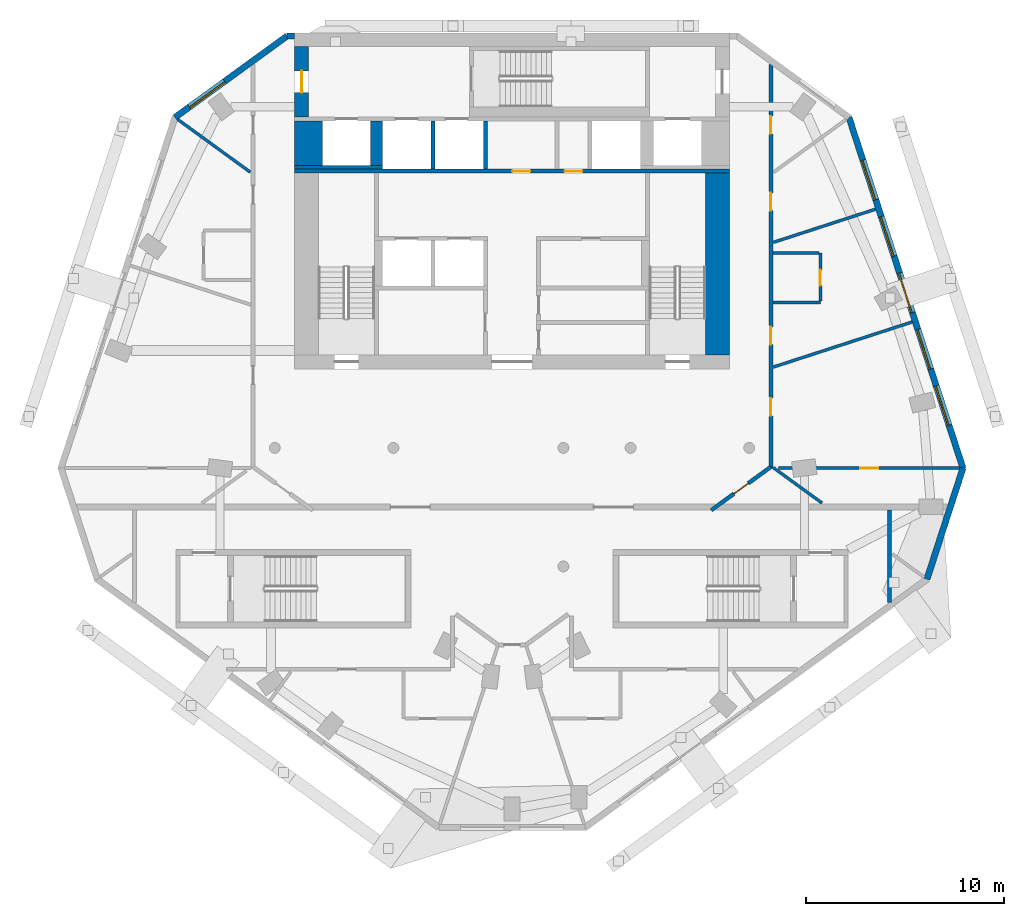
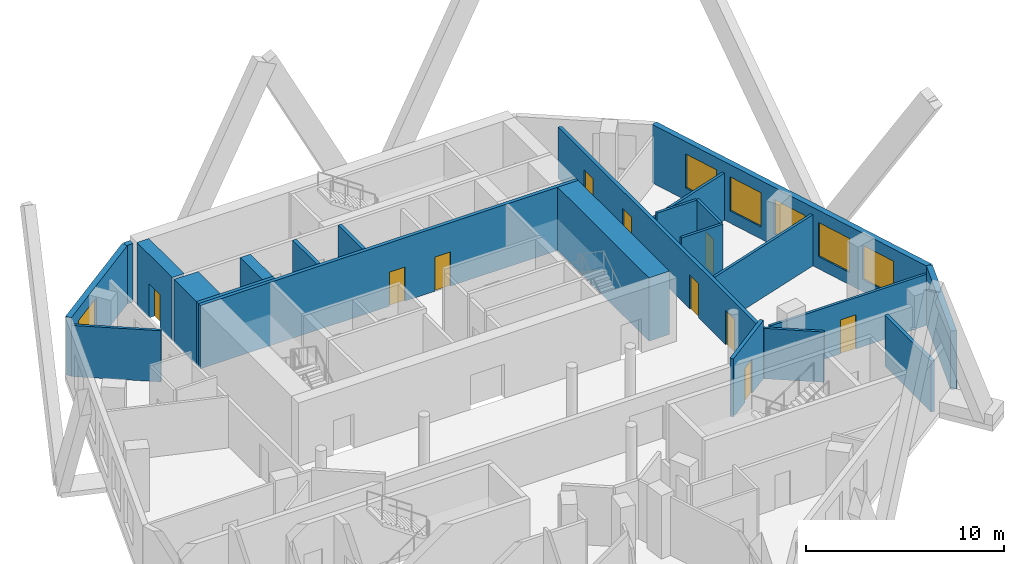
# One storey, part 5 of 8: 23 walls, 10 doors, 6 windows, 16 openings.
"""IFC4 building model written with IfcOpenShell, lengths in metres."""

import ifcopenshell
import ifcopenshell.guid

model = None  # the IFC model being written
_history = None  # IfcOwnerHistory: only IFC2X3 demands one
_inside = {}  # id of a spatial element -> (the spatial element, [elements in it])
_under = {}  # id of a project, library or spatial element -> (it, [spatial elements below it])
_declared = {}  # id of a project -> (the project, [libraries it declares])
_typed = {}  # id of a type object -> (the type object, [elements of that type])
_made_of = {}  # id of a material, layer set ... -> (it, [elements and type objects made of it])


def new_model(schema):
    """Start an empty IFC model of exactly this schema.

    Asked for "IFC4X3", IfcOpenShell would pick the latest addendum, in which some entities
    have other attributes; the version numbers below select the first issue.
    IFC2X3 requires an IfcOwnerHistory on every rooted entity: one is made here for all.
    """
    global model, _history
    if schema == "IFC4X3":
        model = ifcopenshell.file(schema_version=(4, 3, 0, 0))
    else:
        model = ifcopenshell.file(schema=schema)
    _inside.clear()
    _under.clear()
    _declared.clear()
    _typed.clear()
    _made_of.clear()
    _history = None
    if model.schema == "IFC2X3":
        org = make("IfcOrganization", Name="unknown")
        user = make(
            "IfcPersonAndOrganization",
            ThePerson=make("IfcPerson", FamilyName="unknown"),
            TheOrganization=org,
        )
        app = make(
            "IfcApplication",
            ApplicationDeveloper=org,
            Version="unknown",
            ApplicationFullName="unknown",
            ApplicationIdentifier="unknown",
        )
        _history = make(
            "IfcOwnerHistory",
            OwningUser=user,
            OwningApplication=app,
            ChangeAction="ADDED",
            CreationDate=0,
        )
    return model


def make(cls, **values):
    """One entity of the class cls with the attributes given. An attribute that is None is left unset."""
    return model.create_entity(
        cls, **{name: value for name, value in values.items() if value is not None}
    )


def rooted(cls, **values):
    """An entity with a GlobalId (a new one), such as an element, a storey or a relation."""
    return make(cls, GlobalId=ifcopenshell.guid.new(), OwnerHistory=_history, **values)


def si_unit(unit_type, name, prefix=None):
    """IfcSIUnit, for example si_unit("LENGTHUNIT", "METRE", prefix="MILLI")."""
    return make("IfcSIUnit", UnitType=unit_type, Prefix=prefix, Name=name)


def assignment(units):
    """IfcUnitAssignment: the units of a project."""
    return None if units is None else make("IfcUnitAssignment", Units=units)


def point(xyz):
    """IfcCartesianPoint."""
    return None if xyz is None else make("IfcCartesianPoint", Coordinates=xyz)


def direction(xyz):
    """IfcDirection."""
    return None if xyz is None else make("IfcDirection", DirectionRatios=xyz)


def frame(location, z_axis=None, x_axis=None):
    """IfcAxis2Placement3D, a coordinate frame: its origin and axes. An axis left out is left unset."""
    return make(
        "IfcAxis2Placement3D",
        Location=point(location),
        Axis=direction(z_axis),
        RefDirection=direction(x_axis),
    )


def frame_2d(location, x_axis=None):
    """IfcAxis2Placement2D, a coordinate frame in the plane: its origin and x axis."""
    return make(
        "IfcAxis2Placement2D", Location=point(location), RefDirection=direction(x_axis)
    )


def origin():
    """The frame at (0, 0, 0) with its axes left unset."""
    return frame((0.0, 0.0, 0.0))


def place(relative_to, where):
    """IfcLocalPlacement: puts the frame where relative to a parent placement (None: the world)."""
    return make(
        "IfcLocalPlacement", PlacementRelTo=relative_to, RelativePlacement=where
    )


def context(
    kind, dimensions, precision=None, world=None, true_north=None, identifier=None
):
    """IfcGeometricRepresentationContext, for example the 3D "Model" context."""
    return make(
        "IfcGeometricRepresentationContext",
        ContextIdentifier=identifier,
        ContextType=kind,
        CoordinateSpaceDimension=dimensions,
        Precision=precision,
        WorldCoordinateSystem=world,
        TrueNorth=true_north,
    )


def subcontext(parent, identifier, kind, view, scale=None):
    """IfcGeometricRepresentationSubContext, for example "Body" below "Model"."""
    return make(
        "IfcGeometricRepresentationSubContext",
        ContextIdentifier=identifier,
        ContextType=kind,
        ParentContext=parent,
        TargetScale=scale,
        TargetView=view,
    )


def project(units=None, contexts=None):
    """IfcProject with its units and contexts."""
    return rooted(
        "IfcProject",
        Name="project",
        RepresentationContexts=contexts,
        UnitsInContext=assignment(units),
    )


def spatial(cls, under=None, at=None, **own):
    """A site, building, storey or space (cls), placed at a placement, below another one or the project."""
    s = rooted(cls, ObjectPlacement=at, **own)
    if under is not None:
        _under.setdefault(under.id(), (under, []))[1].append(s)
    return s


def profile(cls, at=None, kind="AREA", **sizes):
    """A parametric profile (cls). Its sizes go by their IFC names, for example OverallWidth=200.0."""
    return make(cls, ProfileType=kind, Position=at, **sizes)


def rectangle(**sizes):
    """IfcRectangleProfileDef."""
    return profile("IfcRectangleProfileDef", **sizes)


def extrude(swept, where, along, depth):
    """IfcExtrudedAreaSolid: the profile swept, set in the frame where, extruded along a direction by depth."""
    return make(
        "IfcExtrudedAreaSolid",
        SweptArea=swept,
        Position=where,
        ExtrudedDirection=direction(along),
        Depth=depth,
    )


def shape(context_of_items, identifier, shape_type, items):
    """IfcShapeRepresentation: the items that make up one representation, for example the "Body"."""
    return make(
        "IfcShapeRepresentation",
        ContextOfItems=context_of_items,
        RepresentationIdentifier=identifier,
        RepresentationType=shape_type,
        Items=items,
    )


def material(Name=None, Category=None):
    """IfcMaterial."""
    return make("IfcMaterial", Name=Name, Category=Category)


def layer(
    of_material, thickness, ventilated=None, Name=None, Category=None, Priority=None
):
    """IfcMaterialLayer: one layer of a wall or slab, of a material (None: an air gap)."""
    return make(
        "IfcMaterialLayer",
        Material=of_material,
        LayerThickness=thickness,
        IsVentilated=ventilated,
        Name=Name,
        Category=Category,
        Priority=Priority,
    )


def layer_set(layers, Name=None):
    """IfcMaterialLayerSet."""
    return make("IfcMaterialLayerSet", MaterialLayers=layers, LayerSetName=Name)


def made_of(thing, what):
    """Note that an element or type object is made of a material, layer set ...; save() writes the relation."""
    if what is not None:
        _made_of.setdefault(what.id(), (what, []))[1].append(thing)
    return thing


def type_object(cls, material=None, **own):
    """A type object (cls), such as IfcWallType, which elements share."""
    return made_of(rooted(cls, **own), material)


def element(
    cls,
    number,
    at=None,
    inside=None,
    cuts=None,
    type_object=None,
    material=None,
    context=None,
    identifier="Body",
    shape_type=None,
    held_by="IfcProductDefinitionShape",
    body=None,
    shapes=None,
    **own,
):
    """One element of the class cls, such as IfcWall. Its Tag is "e" and its number.

    at: its placement. inside: the storey or other place that contains it. cuts: it is an
    opening in that element (IfcRelVoidsElement). A single representation is given by context,
    identifier, shape_type and body (its items); several are given by shapes. held_by: the class
    of the entity that holds the representations. save() writes the other relations.
    """
    e = rooted(cls, Tag="e%d" % number, ObjectPlacement=at, **own)
    if body is not None:
        shapes = [shape(context, identifier, shape_type, body)]
    if shapes is not None:
        e.Representation = make(held_by, Representations=shapes)
    if inside is not None:
        _inside.setdefault(inside.id(), (inside, []))[1].append(e)
    if cuts is not None:
        rooted(
            "IfcRelVoidsElement", RelatingBuildingElement=cuts, RelatedOpeningElement=e
        )
    if type_object is not None:
        _typed.setdefault(type_object.id(), (type_object, []))[1].append(e)
    return made_of(e, material)


def fill(opening, filler):
    """IfcRelFillsElement: the door or window that sits in an opening."""
    return rooted(
        "IfcRelFillsElement",
        RelatingOpeningElement=opening,
        RelatedBuildingElement=filler,
    )


def aggregate(whole, parts):
    """IfcRelAggregates: a whole, such as a stair, and the parts it consists of."""
    return rooted("IfcRelAggregates", RelatingObject=whole, RelatedObjects=parts)


def save(model, path):
    """Write the relations noted so far, then the file.

    IfcRelAggregates (storeys below a building ...), IfcRelContainedInSpatialStructure (elements
    in a storey), IfcRelDefinesByType, IfcRelAssociatesMaterial and IfcRelDeclares: one each for
    every whole, place, type object, material and project.
    """
    for whole, parts in _under.values():
        aggregate(whole, parts)
    for where, things in _inside.values():
        rooted(
            "IfcRelContainedInSpatialStructure",
            RelatedElements=things,
            RelatingStructure=where,
        )
    for kind, things in _typed.values():
        rooted("IfcRelDefinesByType", RelatedObjects=things, RelatingType=kind)
    for what, things in _made_of.values():
        rooted("IfcRelAssociatesMaterial", RelatedObjects=things, RelatingMaterial=what)
    for by, libraries in _declared.values():
        rooted("IfcRelDeclares", RelatingContext=by, RelatedDefinitions=libraries)
    model.write(path)


model = new_model("IFC4")

# Units and contexts
model_context = context("Model", 3, precision=1e-05, world=origin(), true_north=direction((0.0, 1.0)))
body_context = subcontext(model_context, "Body", "Model", "MODEL_VIEW")
ifc_project = project(units=[si_unit("LENGTHUNIT", "METRE"), si_unit("AREAUNIT", "SQUARE_METRE"), si_unit("VOLUMEUNIT", "CUBIC_METRE"), si_unit("PLANEANGLEUNIT", "RADIAN"), si_unit("MASSUNIT", "GRAM", prefix="KILO")], contexts=[model_context])

# Site, building, storey
site_placement = place(None, origin())
site = spatial("IfcSite", under=ifc_project, at=site_placement, CompositionType="ELEMENT")
building_placement = place(site_placement, origin())
building = spatial("IfcBuilding", under=site, at=building_placement, Name="White Candle Pilgrim Tower", CompositionType="ELEMENT")
storey_placement = place(building_placement, frame((0.0, 0.0, 283.39990234375)))
storey = spatial("IfcBuildingStorey", under=building, at=storey_placement, Name="L67", CompositionType="ELEMENT", Elevation=283.39990234375)

# Walls
ifc_material_1 = material(Name="Concrete C50/60", Category="concrete")
ifc_layer_1 = layer(ifc_material_1, 1.39990234375)
ifc_layer_set_1 = layer_set([ifc_layer_1], Name="Core wall 1400 mm Concrete C50/60")
wall_type_1 = type_object("IfcWallType", Name="Core wall 1400 mm Concrete C50/60", PredefinedType="SHEAR", material=ifc_layer_set_1)
wall_1_placement = place(storey_placement, frame((59.699951171875, 81.300048828125, 0.0), z_axis=(0.0, 0.0, 1.0), x_axis=(0.0, 1.0, 0.0)))
element("IfcWall", 1, at=wall_1_placement, inside=storey, type_object=wall_type_1, Name="WL-L67-C39", PredefinedType="SHEAR", context=body_context, shape_type="SweptSolid", body=[
    extrude(rectangle(XDim=2.25, YDim=1.39990234375, at=frame_2d((1.125, 0.0))), origin(), (0.0, 0.0, 1.0), 3.900146484375),
])
ifc_layer_2 = layer(ifc_material_1, 0.199951171875)
ifc_layer_set_2 = layer_set([ifc_layer_2], Name="Core wall 200 mm Concrete C50/60")
wall_type_2 = type_object("IfcWallType", Name="Core wall 200 mm Concrete C50/60", PredefinedType="SHEAR", material=ifc_layer_set_2)
wall_2_placement = place(storey_placement, frame((59.0, 81.199951171875, 0.0), z_axis=(0.0, 0.0, 1.0), x_axis=(1.0, 0.0, 0.0)))
element("IfcWall", 2, at=wall_2_placement, inside=storey, type_object=wall_type_2, Name="WL-L67-C33", PredefinedType="SHEAR", context=body_context, shape_type="SweptSolid", body=[
    extrude(rectangle(XDim=4.449951171875, YDim=0.199951171875, at=frame_2d((2.22509765625, 0.0))), origin(), (0.0, 0.0, 1.0), 3.900146484375),
])

# Wall, opening, door
ifc_layer_3 = layer(ifc_material_1, 0.699951171875)
ifc_layer_set_3 = layer_set([ifc_layer_3], Name="Core wall 700 mm Concrete C50/60")
wall_type_3 = type_object("IfcWallType", Name="Core wall 700 mm Concrete C50/60", PredefinedType="SHEAR", material=ifc_layer_set_3)
wall_3_placement = place(storey_placement, frame((59.35009765625, 83.75, 0.0), z_axis=(0.0, 0.0, 1.0), x_axis=(0.0, 1.0, 0.0)))
wall_3 = element("IfcWall", 3, at=wall_3_placement, inside=storey, type_object=wall_type_3, Name="WL-L67-C44", PredefinedType="SHEAR", context=body_context, shape_type="SweptSolid", body=[
    extrude(rectangle(XDim=3.550048828125, YDim=0.699951171875, at=frame_2d((1.77490234375, 0.0))), origin(), (0.0, 0.0, 1.0), 3.900146484375),
])
opening_1_placement = place(wall_3_placement, frame((1.22509765625, 0.0, 0.0)))
opening_1 = element("IfcOpeningElement", 4, at=opening_1_placement, cuts=wall_3, Name="Opening T21-008", PredefinedType="OPENING", context=body_context, shape_type="SweptSolid", body=[
    extrude(rectangle(XDim=1.10009765625, YDim=2.10009765625, at=frame_2d((0.550048828125, 1.050048828125))), frame((0.0, 0.35986328125, 0.0), z_axis=(0.0, -1.0, 0.0), x_axis=(1.0, 0.0, 0.0)), (0.0, 0.0, 1.0), 0.719970703125),
])
ifc_material_2 = material(Name="Steel door leaf", Category="steel")
door_type_1 = type_object("IfcDoorType", Name="Fire door 1100 x 2100 EI 60", OperationType="NOTDEFINED", PredefinedType="DOOR", material=ifc_material_2)
door_1_placement = place(opening_1_placement, origin())
door_1 = element("IfcDoor", 5, at=door_1_placement, inside=storey, type_object=door_type_1, Name="Door T21-008", OperationType="SINGLE_SWING_RIGHT", OverallHeight=2.10009765625, OverallWidth=1.10009765625, PredefinedType="DOOR", context=body_context, shape_type="SweptSolid", body=[
    extrude(rectangle(XDim=1.10009765625, YDim=2.10009765625, at=frame_2d((0.550048828125, 1.050048828125))), frame((0.0, 0.02490234375, 0.0), z_axis=(0.0, -1.0, 0.0), x_axis=(1.0, 0.0, 0.0)), (0.0, 0.0, 1.0), 0.050048828125),
])
fill(opening_1, door_1)

# Wall, openings, doors
ifc_material_3 = material(Name="Gypsum board on steel studs", Category="steel")
ifc_layer_4 = layer(ifc_material_3, 0.199951171875)
ifc_layer_set_4 = layer_set([ifc_layer_4], Name="Corridor wall 200 mm EI 45")
wall_type_4 = type_object("IfcWallType", Name="Corridor wall 200 mm EI 45", PredefinedType="PARTITIONING", material=ifc_layer_set_4)
wall_4_placement = place(storey_placement, frame((83.10009765625, 86.396240234375, 0.0), z_axis=(0.0, 0.0, 1.0), x_axis=(0.0, -1.0, 0.0)))
wall_4 = element("IfcWall", 6, at=wall_4_placement, inside=storey, type_object=wall_type_4, Name="WL-L67-P005", PredefinedType="PARTITIONING", context=body_context, shape_type="SweptSolid", body=[
    extrude(rectangle(XDim=20.416259765625, YDim=0.199951171875, at=frame_2d((10.2080078125, 0.0))), origin(), (0.0, 0.0, 1.0), 3.150146484375),
])
opening_2_placement = place(wall_4_placement, frame((2.6123046875, 0.0, 0.0)))
opening_2 = element("IfcOpeningElement", 7, at=opening_2_placement, cuts=wall_4, Name="Opening T21-113", PredefinedType="OPENING", context=body_context, shape_type="SweptSolid", body=[
    extrude(rectangle(XDim=0.89990234375, YDim=2.10009765625, at=frame_2d((0.449951171875, 1.050048828125))), frame((0.0, 0.10986328125, 0.0), z_axis=(0.0, -1.0, 0.0), x_axis=(1.0, 0.0, 0.0)), (0.0, 0.0, 1.0), 0.219970703125),
])
opening_3_placement = place(wall_4_placement, frame((6.49365234375, 0.0, 0.0)))
opening_3 = element("IfcOpeningElement", 8, at=opening_3_placement, cuts=wall_4, Name="Opening T21-114", PredefinedType="OPENING", context=body_context, shape_type="SweptSolid", body=[
    extrude(rectangle(XDim=0.89990234375, YDim=2.10009765625, at=frame_2d((0.449951171875, 1.050048828125))), frame((0.0, 0.10986328125, 0.0), z_axis=(0.0, -1.0, 0.0), x_axis=(1.0, 0.0, 0.0)), (0.0, 0.0, 1.0), 0.219970703125),
])
opening_4_placement = place(wall_4_placement, frame((13.270263671875, 0.0, 0.0)))
opening_4 = element("IfcOpeningElement", 9, at=opening_4_placement, cuts=wall_4, Name="Opening T21-115", PredefinedType="OPENING", context=body_context, shape_type="SweptSolid", body=[
    extrude(rectangle(XDim=0.89990234375, YDim=2.10009765625, at=frame_2d((0.449951171875, 1.050048828125))), frame((0.0, 0.10986328125, 0.0), z_axis=(0.0, -1.0, 0.0), x_axis=(1.0, 0.0, 0.0)), (0.0, 0.0, 1.0), 0.219970703125),
])
opening_5_placement = place(wall_4_placement, frame((16.877197265625, 0.0, 0.0)))
opening_5 = element("IfcOpeningElement", 10, at=opening_5_placement, cuts=wall_4, Name="Opening T21-116", PredefinedType="OPENING", context=body_context, shape_type="SweptSolid", body=[
    extrude(rectangle(XDim=0.89990234375, YDim=2.10009765625, at=frame_2d((0.449951171875, 1.050048828125))), frame((0.0, 0.10986328125, 0.0), z_axis=(0.0, -1.0, 0.0), x_axis=(1.0, 0.0, 0.0)), (0.0, 0.0, 1.0), 0.219970703125),
])
door_type_2 = type_object("IfcDoorType", Name="Fire door 900 x 2100 EI 30", OperationType="NOTDEFINED", PredefinedType="DOOR", material=ifc_material_2)
door_2_placement = place(opening_2_placement, origin())
door_2 = element("IfcDoor", 11, at=door_2_placement, inside=storey, type_object=door_type_2, Name="Door T21-113", OperationType="SINGLE_SWING_LEFT", OverallHeight=2.10009765625, OverallWidth=0.89990234375, PredefinedType="DOOR", context=body_context, shape_type="SweptSolid", body=[
    extrude(rectangle(XDim=0.89990234375, YDim=2.10009765625, at=frame_2d((0.449951171875, 1.050048828125))), frame((0.0, 0.02490234375, 0.0), z_axis=(0.0, -1.0, 0.0), x_axis=(1.0, 0.0, 0.0)), (0.0, 0.0, 1.0), 0.050048828125),
])
fill(opening_2, door_2)
door_3_placement = place(opening_3_placement, origin())
door_3 = element("IfcDoor", 12, at=door_3_placement, inside=storey, type_object=door_type_2, Name="Door T21-114", OperationType="SINGLE_SWING_RIGHT", OverallHeight=2.10009765625, OverallWidth=0.89990234375, PredefinedType="DOOR", context=body_context, shape_type="SweptSolid", body=[
    extrude(rectangle(XDim=0.89990234375, YDim=2.10009765625, at=frame_2d((0.449951171875, 1.050048828125))), frame((0.0, 0.02490234375, 0.0), z_axis=(0.0, -1.0, 0.0), x_axis=(1.0, 0.0, 0.0)), (0.0, 0.0, 1.0), 0.050048828125),
])
fill(opening_3, door_3)
door_4_placement = place(opening_4_placement, origin())
door_4 = element("IfcDoor", 13, at=door_4_placement, inside=storey, type_object=door_type_2, Name="Door T21-115", OperationType="SINGLE_SWING_LEFT", OverallHeight=2.10009765625, OverallWidth=0.89990234375, PredefinedType="DOOR", context=body_context, shape_type="SweptSolid", body=[
    extrude(rectangle(XDim=0.89990234375, YDim=2.10009765625, at=frame_2d((0.449951171875, 1.050048828125))), frame((0.0, 0.02490234375, 0.0), z_axis=(0.0, -1.0, 0.0), x_axis=(1.0, 0.0, 0.0)), (0.0, 0.0, 1.0), 0.050048828125),
])
fill(opening_4, door_4)
door_5_placement = place(opening_5_placement, origin())
door_5 = element("IfcDoor", 14, at=door_5_placement, inside=storey, type_object=door_type_2, Name="Door T21-116", OperationType="SINGLE_SWING_RIGHT", OverallHeight=2.10009765625, OverallWidth=0.89990234375, PredefinedType="DOOR", context=body_context, shape_type="SweptSolid", body=[
    extrude(rectangle(XDim=0.89990234375, YDim=2.10009765625, at=frame_2d((0.449951171875, 1.050048828125))), frame((0.0, 0.02490234375, 0.0), z_axis=(0.0, -1.0, 0.0), x_axis=(1.0, 0.0, 0.0)), (0.0, 0.0, 1.0), 0.050048828125),
])
fill(opening_5, door_5)

# Wall, opening, door
wall_5_placement = place(storey_placement, frame((83.10009765625, 66.041015625, 0.0), z_axis=(0.0, 0.0, 1.0), x_axis=(-0.809024883744, -0.587774393355, 0.0)))
wall_5 = element("IfcWall", 15, at=wall_5_placement, inside=storey, type_object=wall_type_4, Name="WL-L67-P006", PredefinedType="PARTITIONING", context=body_context, shape_type="SweptSolid", body=[
    extrude(rectangle(XDim=3.7275390625, YDim=0.199951171875, at=frame_2d((1.86376953125, 0.0))), origin(), (0.0, 0.0, 1.0), 3.60009765625),
])
opening_6_placement = place(wall_5_placement, frame((1.413818359375, 0.0, 0.0)))
opening_6 = element("IfcOpeningElement", 16, at=opening_6_placement, cuts=wall_5, Name="Opening T21-119", PredefinedType="OPENING", context=body_context, shape_type="SweptSolid", body=[
    extrude(rectangle(XDim=0.89990234375, YDim=2.10009765625, at=frame_2d((0.449951171875, 1.050048828125))), frame((0.0, 0.10986328125, 0.0), z_axis=(0.0, -1.0, 0.0), x_axis=(1.0, 0.0, 0.0)), (0.0, 0.0, 1.0), 0.219970703125),
])
door_6_placement = place(opening_6_placement, origin())
door_6 = element("IfcDoor", 17, at=door_6_placement, inside=storey, type_object=door_type_2, Name="Door T21-119", OperationType="SINGLE_SWING_LEFT", OverallHeight=2.10009765625, OverallWidth=0.89990234375, PredefinedType="DOOR", context=body_context, shape_type="SweptSolid", body=[
    extrude(rectangle(XDim=0.89990234375, YDim=2.10009765625, at=frame_2d((0.449951171875, 1.050048828125))), frame((0.0, 0.02490234375, 0.0), z_axis=(0.0, -1.0, 0.0), x_axis=(1.0, 0.0, 0.0)), (0.0, 0.0, 1.0), 0.050048828125),
])
fill(opening_6, door_6)

# Walls
wall_6_placement = place(storey_placement, frame((89.10009765625, 63.85009765625, 0.0), z_axis=(0.0, 0.0, 1.0), x_axis=(0.0, -1.0, 0.0)))
element("IfcWall", 18, at=wall_6_placement, inside=storey, type_object=wall_type_4, Name="WL-L67-P007", PredefinedType="PARTITIONING", context=body_context, shape_type="SweptSolid", body=[
    extrude(rectangle(XDim=4.67333984375, YDim=0.199951171875, at=frame_2d((2.336669921875, 0.0))), origin(), (0.0, 0.0, 1.0), 3.150146484375),
])
ifc_material_4 = material(Name="Precast concrete C40/50", Category="concrete")
ifc_layer_5 = layer(ifc_material_4, 0.320068359375)
ifc_layer_set_5 = layer_set([ifc_layer_5], Name="Facade wall EW1 precast concrete C40/50 pier wall with timber-lined reveals")
wall_type_5 = type_object("IfcWallType", Name="Facade wall EW1 precast concrete C40/50 pier wall with timber-lined reveals", PredefinedType="SOLIDWALL", material=ifc_layer_set_5)
wall_7_placement = place(storey_placement, frame((90.99365234375, 60.354736328125, 0.0), z_axis=(0.0, 0.0, 1.0), x_axis=(0.30899265151, 0.951064425427, 0.0)))
element("IfcWall", 19, at=wall_7_placement, inside=storey, type_object=wall_type_5, Name="Facade wall L67 E chamfer", PredefinedType="SOLIDWALL", context=body_context, shape_type="SweptSolid", body=[
    extrude(rectangle(XDim=5.9091796875, YDim=0.320068359375, at=frame_2d((2.95458984375, 0.0))), origin(), (0.0, 0.0, 1.0), 3.60009765625),
])

# Wall, openings, windows
wall_8_placement = place(storey_placement, frame((92.819580078125, 65.974853515625, 0.0), z_axis=(0.0, 0.0, 1.0), x_axis=(-0.3090200992, 0.951055507471, 0.0)))
wall_8 = element("IfcWall", 20, at=wall_8_placement, inside=storey, type_object=wall_type_5, Name="Facade wall L67 ENE", PredefinedType="SOLIDWALL", context=body_context, shape_type="SweptSolid", body=[
    extrude(rectangle(XDim=18.66015625, YDim=0.320068359375, at=frame_2d((9.330078125, 0.0))), origin(), (0.0, 0.0, 1.0), 3.60009765625),
])
opening_7_placement = place(wall_8_placement, frame((2.280029296875, 0.0, 0.75)))
opening_7 = element("IfcOpeningElement", 21, at=opening_7_placement, cuts=wall_8, Name="Opening W3", PredefinedType="OPENING", context=body_context, shape_type="SweptSolid", body=[
    extrude(rectangle(XDim=2.10009765625, YDim=2.10009765625, at=frame_2d((1.050048828125, 1.050048828125))), frame((0.0, 0.169921875, 0.0), z_axis=(0.0, -1.0, 0.0), x_axis=(1.0, 0.0, 0.0)), (0.0, 0.0, 1.0), 0.340087890625),
])
opening_8_placement = place(wall_8_placement, frame((5.280029296875, 0.0, 0.75)))
opening_8 = element("IfcOpeningElement", 22, at=opening_8_placement, cuts=wall_8, Name="Opening W3", PredefinedType="OPENING", context=body_context, shape_type="SweptSolid", body=[
    extrude(rectangle(XDim=2.10009765625, YDim=2.10009765625, at=frame_2d((1.050048828125, 1.050048828125))), frame((0.0, 0.169921875, 0.0), z_axis=(0.0, -1.0, 0.0), x_axis=(1.0, 0.0, 0.0)), (0.0, 0.0, 1.0), 0.340087890625),
])
opening_9_placement = place(wall_8_placement, frame((8.280029296875, 0.0, 0.75)))
opening_9 = element("IfcOpeningElement", 23, at=opening_9_placement, cuts=wall_8, Name="Opening W3", PredefinedType="OPENING", context=body_context, shape_type="SweptSolid", body=[
    extrude(rectangle(XDim=2.10009765625, YDim=2.10009765625, at=frame_2d((1.050048828125, 1.050048828125))), frame((0.0, 0.169921875, 0.0), z_axis=(0.0, -1.0, 0.0), x_axis=(1.0, 0.0, 0.0)), (0.0, 0.0, 1.0), 0.340087890625),
])
opening_10_placement = place(wall_8_placement, frame((11.280029296875, 0.0, 0.75)))
opening_10 = element("IfcOpeningElement", 24, at=opening_10_placement, cuts=wall_8, Name="Opening W3", PredefinedType="OPENING", context=body_context, shape_type="SweptSolid", body=[
    extrude(rectangle(XDim=2.10009765625, YDim=2.10009765625, at=frame_2d((1.050048828125, 1.050048828125))), frame((0.0, 0.169921875, 0.0), z_axis=(0.0, -1.0, 0.0), x_axis=(1.0, 0.0, 0.0)), (0.0, 0.0, 1.0), 0.340087890625),
])
opening_11_placement = place(wall_8_placement, frame((14.280029296875, 0.0, 0.75)))
opening_11 = element("IfcOpeningElement", 25, at=opening_11_placement, cuts=wall_8, Name="Opening W3", PredefinedType="OPENING", context=body_context, shape_type="SweptSolid", body=[
    extrude(rectangle(XDim=2.10009765625, YDim=2.10009765625, at=frame_2d((1.050048828125, 1.050048828125))), frame((0.0, 0.169921875, 0.0), z_axis=(0.0, -1.0, 0.0), x_axis=(1.0, 0.0, 0.0)), (0.0, 0.0, 1.0), 0.340087890625),
])
ifc_material_5 = material(Name="Timber frame with triple glazing", Category="wood")
window_type_1 = type_object("IfcWindowType", Name="Window W3 2100x2100 timber frame triple glazing", PartitioningType="SINGLE_PANEL", PredefinedType="WINDOW", material=ifc_material_5)
window_1_placement = place(opening_7_placement, origin())
window_1 = element("IfcWindow", 26, at=window_1_placement, inside=storey, type_object=window_type_1, Name="Window W3 L67 ENE 1", OverallHeight=2.10009765625, OverallWidth=2.10009765625, PartitioningType="SINGLE_PANEL", PredefinedType="WINDOW", context=body_context, shape_type="SweptSolid", body=[
    extrude(rectangle(XDim=2.10009765625, YDim=2.10009765625, at=frame_2d((1.050048828125, 1.050048828125))), frame((0.0, 0.070068359375, 0.0), z_axis=(0.0, -1.0, 0.0), x_axis=(1.0, 0.0, 0.0)), (0.0, 0.0, 1.0), 0.06005859375),
])
fill(opening_7, window_1)
window_2_placement = place(opening_8_placement, origin())
window_2 = element("IfcWindow", 27, at=window_2_placement, inside=storey, type_object=window_type_1, Name="Window W3 L67 ENE 2", OverallHeight=2.10009765625, OverallWidth=2.10009765625, PartitioningType="SINGLE_PANEL", PredefinedType="WINDOW", context=body_context, shape_type="SweptSolid", body=[
    extrude(rectangle(XDim=2.10009765625, YDim=2.10009765625, at=frame_2d((1.050048828125, 1.050048828125))), frame((0.0, 0.070068359375, 0.0), z_axis=(0.0, -1.0, 0.0), x_axis=(1.0, 0.0, 0.0)), (0.0, 0.0, 1.0), 0.06005859375),
])
fill(opening_8, window_2)
window_3_placement = place(opening_9_placement, origin())
window_3 = element("IfcWindow", 28, at=window_3_placement, inside=storey, type_object=window_type_1, Name="Window W3 L67 ENE 3", OverallHeight=2.10009765625, OverallWidth=2.10009765625, PartitioningType="SINGLE_PANEL", PredefinedType="WINDOW", context=body_context, shape_type="SweptSolid", body=[
    extrude(rectangle(XDim=2.10009765625, YDim=2.10009765625, at=frame_2d((1.050048828125, 1.050048828125))), frame((0.0, 0.070068359375, 0.0), z_axis=(0.0, -1.0, 0.0), x_axis=(1.0, 0.0, 0.0)), (0.0, 0.0, 1.0), 0.06005859375),
])
fill(opening_9, window_3)
window_4_placement = place(opening_10_placement, origin())
window_4 = element("IfcWindow", 29, at=window_4_placement, inside=storey, type_object=window_type_1, Name="Window W3 L67 ENE 4", OverallHeight=2.10009765625, OverallWidth=2.10009765625, PartitioningType="SINGLE_PANEL", PredefinedType="WINDOW", context=body_context, shape_type="SweptSolid", body=[
    extrude(rectangle(XDim=2.10009765625, YDim=2.10009765625, at=frame_2d((1.050048828125, 1.050048828125))), frame((0.0, 0.070068359375, 0.0), z_axis=(0.0, -1.0, 0.0), x_axis=(1.0, 0.0, 0.0)), (0.0, 0.0, 1.0), 0.06005859375),
])
fill(opening_10, window_4)
window_5_placement = place(opening_11_placement, origin())
window_5 = element("IfcWindow", 30, at=window_5_placement, inside=storey, type_object=window_type_1, Name="Window W3 L67 ENE 5", OverallHeight=2.10009765625, OverallWidth=2.10009765625, PartitioningType="SINGLE_PANEL", PredefinedType="WINDOW", context=body_context, shape_type="SweptSolid", body=[
    extrude(rectangle(XDim=2.10009765625, YDim=2.10009765625, at=frame_2d((1.050048828125, 1.050048828125))), frame((0.0, 0.070068359375, 0.0), z_axis=(0.0, -1.0, 0.0), x_axis=(1.0, 0.0, 0.0)), (0.0, 0.0, 1.0), 0.06005859375),
])
fill(opening_11, window_5)

# Wall
wall_9_placement = place(storey_placement, frame((59.0, 87.840087890625, 0.0), z_axis=(0.0, 0.0, 1.0), x_axis=(-1.0, 0.0, 0.0)))
element("IfcWall", 31, at=wall_9_placement, inside=storey, type_object=wall_type_5, Name="Facade wall L67 N", PredefinedType="SOLIDWALL", context=body_context, shape_type="SweptSolid", body=[
    extrude(rectangle(XDim=0.385009765625, YDim=0.320068359375, at=frame_2d((0.1923828125, 0.0))), origin(), (0.0, 0.0, 1.0), 3.60009765625),
])

# Wall, opening, window
wall_10_placement = place(storey_placement, frame((58.614990234375, 87.840087890625, 0.0), z_axis=(0.0, 0.0, 1.0), x_axis=(-0.809002708762, -0.587804914249, 0.0)))
wall_10 = element("IfcWall", 32, at=wall_10_placement, inside=storey, type_object=wall_type_5, Name="Facade wall L67 NW chamfer", PredefinedType="SOLIDWALL", context=body_context, shape_type="SweptSolid", body=[
    extrude(rectangle(XDim=7.00634765625, YDim=0.320068359375, at=frame_2d((3.503173828125, 0.0))), origin(), (0.0, 0.0, 1.0), 3.60009765625),
])
opening_12_placement = place(wall_10_placement, frame((3.9033203125, 0.0, 0.75)))
opening_12 = element("IfcOpeningElement", 33, at=opening_12_placement, cuts=wall_10, Name="Opening W4", PredefinedType="OPENING", context=body_context, shape_type="SweptSolid", body=[
    extrude(rectangle(XDim=2.199951171875, YDim=2.10009765625, at=frame_2d((1.10009765625, 1.050048828125))), frame((0.0, 0.169921875, 0.0), z_axis=(0.0, -1.0, 0.0), x_axis=(1.0, 0.0, 0.0)), (0.0, 0.0, 1.0), 0.340087890625),
])
window_type_2 = type_object("IfcWindowType", Name="Window W4 2200x2100 timber frame triple glazing", PartitioningType="SINGLE_PANEL", PredefinedType="WINDOW", material=ifc_material_5)
window_6_placement = place(opening_12_placement, origin())
window_6 = element("IfcWindow", 34, at=window_6_placement, inside=storey, type_object=window_type_2, Name="Window W4 L67 NW chamfer 2", OverallHeight=2.10009765625, OverallWidth=2.199951171875, PartitioningType="SINGLE_PANEL", PredefinedType="WINDOW", context=body_context, shape_type="SweptSolid", body=[
    extrude(rectangle(XDim=2.199951171875, YDim=2.10009765625, at=frame_2d((1.10009765625, 1.050048828125))), frame((0.0, 0.070068359375, 0.0), z_axis=(0.0, -1.0, 0.0), x_axis=(1.0, 0.0, 0.0)), (0.0, 0.0, 1.0), 0.06005859375),
])
fill(opening_12, window_6)

# Walls
ifc_layer_6 = layer(ifc_material_3, 0.14990234375)
ifc_layer_set_6 = layer_set([ifc_layer_6], Name="Partition 150 mm EI 60")
wall_type_6 = type_object("IfcWallType", Name="Partition 150 mm EI 60", PredefinedType="PARTITIONING", material=ifc_layer_set_6)
wall_11_placement = place(storey_placement, frame((53.082763671875, 83.622802734375, 0.0), z_axis=(0.0, 0.0, 1.0), x_axis=(0.809012707043, -0.587791153253, 0.0)))
element("IfcWall", 35, at=wall_11_placement, inside=storey, type_object=wall_type_6, Name="WL-L67-P015", PredefinedType="PARTITIONING", context=body_context, shape_type="SweptSolid", body=[
    extrude(rectangle(XDim=4.540283203125, YDim=0.14990234375, at=frame_2d((2.27001953125, 0.0))), origin(), (0.0, 0.0, 1.0), 3.150146484375),
])
wall_12_placement = place(storey_placement, frame((85.686279296875, 64.210693359375, 0.0), z_axis=(0.0, 0.0, 1.0), x_axis=(-0.809019714883, 0.587781507816, 0.0)))
element("IfcWall", 36, at=wall_12_placement, inside=storey, type_object=wall_type_6, Name="WL-L67-P022", PredefinedType="PARTITIONING", context=body_context, shape_type="SweptSolid", body=[
    extrude(rectangle(XDim=3.05126953125, YDim=0.14990234375, at=frame_2d((1.525634765625, 0.0))), origin(), (0.0, 0.0, 1.0), 3.10009765625),
])

# Wall, opening, door
wall_13_placement = place(storey_placement, frame((92.6513671875, 65.974853515625, 0.0), z_axis=(0.0, 0.0, 1.0), x_axis=(-1.0, 0.0, 0.0)))
wall_13 = element("IfcWall", 37, at=wall_13_placement, inside=storey, type_object=wall_type_6, Name="WL-L67-P023", PredefinedType="PARTITIONING", context=body_context, shape_type="SweptSolid", body=[
    extrude(rectangle(XDim=9.162353515625, YDim=0.14990234375, at=frame_2d((4.5810546875, 0.0))), origin(), (0.0, 0.0, 1.0), 3.150146484375),
])
opening_13_placement = place(wall_13_placement, frame((4.131103515625, 0.0, 0.0)))
opening_13 = element("IfcOpeningElement", 38, at=opening_13_placement, cuts=wall_13, Name="Opening T21-117", PredefinedType="OPENING", context=body_context, shape_type="SweptSolid", body=[
    extrude(rectangle(XDim=0.89990234375, YDim=2.10009765625, at=frame_2d((0.449951171875, 1.050048828125))), frame((0.0, 0.0849609375, 0.0), z_axis=(0.0, -1.0, 0.0), x_axis=(1.0, 0.0, 0.0)), (0.0, 0.0, 1.0), 0.169921875),
])
door_7_placement = place(opening_13_placement, origin())
door_7 = element("IfcDoor", 39, at=door_7_placement, inside=storey, type_object=door_type_2, Name="Door T21-117", OperationType="SINGLE_SWING_LEFT", OverallHeight=2.10009765625, OverallWidth=0.89990234375, PredefinedType="DOOR", context=body_context, shape_type="SweptSolid", body=[
    extrude(rectangle(XDim=0.89990234375, YDim=2.10009765625, at=frame_2d((0.449951171875, 1.050048828125))), frame((0.0, 0.02490234375, 0.0), z_axis=(0.0, -1.0, 0.0), x_axis=(1.0, 0.0, 0.0)), (0.0, 0.0, 1.0), 0.050048828125),
])
fill(opening_13, door_7)

# Walls
wall_14_placement = place(storey_placement, frame((90.247802734375, 73.372314453125, 0.0), z_axis=(0.0, 0.0, 1.0), x_axis=(-0.951055684943, -0.309019553002, 0.0)))
element("IfcWall", 40, at=wall_14_placement, inside=storey, type_object=wall_type_6, Name="WL-L67-P035", PredefinedType="PARTITIONING", context=body_context, shape_type="SweptSolid", body=[
    extrude(rectangle(XDim=7.38623046875, YDim=0.14990234375, at=frame_2d((3.693115234375, 0.0))), origin(), (0.0, 0.0, 1.0), 3.150146484375),
])
wall_15_placement = place(storey_placement, frame((88.393798828125, 79.07861328125, 0.0), z_axis=(0.0, 0.0, 1.0), x_axis=(-0.951062774979, -0.308997731462, 0.0)))
element("IfcWall", 41, at=wall_15_placement, inside=storey, type_object=wall_type_6, Name="WL-L67-P036", PredefinedType="PARTITIONING", context=body_context, shape_type="SweptSolid", body=[
    extrude(rectangle(XDim=5.436767578125, YDim=0.14990234375, at=frame_2d((2.71826171875, 0.0))), origin(), (0.0, 0.0, 1.0), 2.900146484375),
])
wall_16_placement = place(storey_placement, frame((83.199951171875, 74.358642578125, 0.0), z_axis=(0.0, 0.0, 1.0), x_axis=(1.0, 0.0, 0.0)))
element("IfcWall", 42, at=wall_16_placement, inside=storey, type_object=wall_type_6, Name="WL-L67-P037", PredefinedType="PARTITIONING", context=body_context, shape_type="SweptSolid", body=[
    extrude(rectangle(XDim=2.400146484375, YDim=0.14990234375, at=frame_2d((1.2001953125, 0.0))), origin(), (0.0, 0.0, 1.0), 3.60009765625),
])

# Wall, opening, door
wall_17_placement = place(storey_placement, frame((85.60009765625, 76.858642578125, 0.0), z_axis=(0.0, 0.0, 1.0), x_axis=(0.0, -1.0, 0.0)))
wall_17 = element("IfcWall", 43, at=wall_17_placement, inside=storey, type_object=wall_type_6, Name="WL-L67-P038", PredefinedType="PARTITIONING", context=body_context, shape_type="SweptSolid", body=[
    extrude(rectangle(XDim=2.425048828125, YDim=0.14990234375, at=frame_2d((1.21240234375, 0.0))), origin(), (0.0, 0.0, 1.0), 3.60009765625),
])
opening_14_placement = place(wall_17_placement, frame((0.85009765625, 0.0, 0.0)))
opening_14 = element("IfcOpeningElement", 44, at=opening_14_placement, cuts=wall_17, Name="Opening T21-107", PredefinedType="OPENING", context=body_context, shape_type="SweptSolid", body=[
    extrude(rectangle(XDim=0.800048828125, YDim=2.10009765625, at=frame_2d((0.39990234375, 1.050048828125))), frame((0.0, 0.0849609375, 0.0), z_axis=(0.0, -1.0, 0.0), x_axis=(1.0, 0.0, 0.0)), (0.0, 0.0, 1.0), 0.169921875),
])
door_type_3 = type_object("IfcDoorType", Name="Fire door 800 x 2100 EI 30", OperationType="NOTDEFINED", PredefinedType="DOOR", material=ifc_material_2)
door_8_placement = place(opening_14_placement, origin())
door_8 = element("IfcDoor", 45, at=door_8_placement, inside=storey, type_object=door_type_3, Name="Door T21-107", OperationType="SINGLE_SWING_LEFT", OverallHeight=2.10009765625, OverallWidth=0.800048828125, PredefinedType="DOOR", context=body_context, shape_type="SweptSolid", body=[
    extrude(rectangle(XDim=0.800048828125, YDim=2.10009765625, at=frame_2d((0.39990234375, 1.050048828125))), frame((0.0, 0.02490234375, 0.0), z_axis=(0.0, -1.0, 0.0), x_axis=(1.0, 0.0, 0.0)), (0.0, 0.0, 1.0), 0.050048828125),
])
fill(opening_14, door_8)

# Walls
wall_18_placement = place(storey_placement, frame((83.199951171875, 76.858642578125, 0.0), z_axis=(0.0, 0.0, 1.0), x_axis=(1.0, 0.0, 0.0)))
element("IfcWall", 46, at=wall_18_placement, inside=storey, type_object=wall_type_6, Name="WL-L67-P039", PredefinedType="PARTITIONING", context=body_context, shape_type="SweptSolid", body=[
    extrude(rectangle(XDim=2.324951171875, YDim=0.14990234375, at=frame_2d((1.16259765625, 0.0))), origin(), (0.0, 0.0, 1.0), 3.60009765625),
])
ifc_layer_7 = layer(ifc_material_1, 0.199951171875)
ifc_layer_set_7 = layer_set([ifc_layer_7], Name="Shaft wall 200 mm Concrete C50/60")
wall_type_7 = type_object("IfcWallType", Name="Shaft wall 200 mm Concrete C50/60", PredefinedType="SHEAR", material=ifc_layer_set_7)
for number, where, z_axis, x_axis, name in (
    (47, (66.0, 81.10009765625, 0.0), (0.0, 0.0, 1.0), (0.0, 1.0, 0.0), "WL-L67-C34"),
    (48, (68.64990234375, 81.10009765625, 0.0), (0.0, 0.0, 1.0), (0.0, 1.0, 0.0), "WL-L67-C35"),
):
    element("IfcWall", number, at=place(storey_placement, frame(where, z_axis=z_axis, x_axis=x_axis)), inside=storey, type_object=wall_type_7, Name=name, PredefinedType="SHEAR", context=body_context, shape_type="SweptSolid", body=[
        extrude(rectangle(XDim=2.449951171875, YDim=0.199951171875, at=frame_2d((1.22509765625, 0.0))), origin(), (0.0, 0.0, 1.0), 3.900146484375),
    ])
ifc_layer_8 = layer(ifc_material_1, 0.60009765625)
ifc_layer_set_8 = layer_set([ifc_layer_8], Name="Shaft wall 600 mm Concrete C50/60")
wall_type_8 = type_object("IfcWallType", Name="Shaft wall 600 mm Concrete C50/60", PredefinedType="SHEAR", material=ifc_layer_set_8)
wall_19_placement = place(storey_placement, frame((63.14990234375, 81.300048828125, 0.0), z_axis=(0.0, 0.0, 1.0), x_axis=(0.0, 1.0, 0.0)))
element("IfcWall", 49, at=wall_19_placement, inside=storey, type_object=wall_type_8, Name="WL-L67-C40", PredefinedType="SHEAR", context=body_context, shape_type="SweptSolid", body=[
    extrude(rectangle(XDim=2.25, YDim=0.60009765625, at=frame_2d((1.125, 0.0))), origin(), (0.0, 0.0, 1.0), 3.900146484375),
])
ifc_layer_9 = layer(ifc_material_1, 1.199951171875)
ifc_layer_set_9 = layer_set([ifc_layer_9], Name="Stair shaft wall 1200 mm Concrete C50/60")
wall_type_9 = type_object("IfcWallType", Name="Stair shaft wall 1200 mm Concrete C50/60", PredefinedType="SHEAR", material=ifc_layer_set_9)
wall_20_placement = place(storey_placement, frame((80.39990234375, 71.699951171875, 0.0), z_axis=(0.0, 0.0, 1.0), x_axis=(0.0, 1.0, 0.0)))
element("IfcWall", 50, at=wall_20_placement, inside=storey, type_object=wall_type_9, Name="WL-L67-C17", PredefinedType="SHEAR", context=body_context, shape_type="SweptSolid", body=[
    extrude(rectangle(XDim=9.199951171875, YDim=1.199951171875, at=frame_2d((4.60009765625, 0.0))), origin(), (0.0, 0.0, 1.0), 3.900146484375),
])

# Wall, openings, doors
ifc_layer_10 = layer(ifc_material_1, 0.199951171875)
ifc_layer_set_10 = layer_set([ifc_layer_10], Name="Stair shaft wall 200 mm Concrete C50/60")
wall_type_10 = type_object("IfcWallType", Name="Stair shaft wall 200 mm Concrete C50/60", PredefinedType="SHEAR", material=ifc_layer_set_10)
wall_21_placement = place(storey_placement, frame((59.0, 81.0, 0.0), z_axis=(0.0, 0.0, 1.0), x_axis=(1.0, 0.0, 0.0)))
wall_21 = element("IfcWall", 51, at=wall_21_placement, inside=storey, type_object=wall_type_10, Name="WL-L67-C32", PredefinedType="SHEAR", context=body_context, shape_type="SweptSolid", body=[
    extrude(rectangle(XDim=22.0, YDim=0.199951171875, at=frame_2d((11.0, 0.0))), origin(), (0.0, 0.0, 1.0), 3.900146484375),
])
opening_15_placement = place(wall_21_placement, frame((11.014892578125, 0.0, 0.0)))
opening_15 = element("IfcOpeningElement", 52, at=opening_15_placement, cuts=wall_21, Name="Opening T21-021", PredefinedType="OPENING", context=body_context, shape_type="SweptSolid", body=[
    extrude(rectangle(XDim=0.89990234375, YDim=2.10009765625, at=frame_2d((0.449951171875, 1.050048828125))), frame((0.0, 0.10986328125, 0.0), z_axis=(0.0, -1.0, 0.0), x_axis=(1.0, 0.0, 0.0)), (0.0, 0.0, 1.0), 0.219970703125),
])
opening_16_placement = place(wall_21_placement, frame((13.6650390625, 0.0, 0.0)))
opening_16 = element("IfcOpeningElement", 53, at=opening_16_placement, cuts=wall_21, Name="Opening T21-022", PredefinedType="OPENING", context=body_context, shape_type="SweptSolid", body=[
    extrude(rectangle(XDim=0.89990234375, YDim=2.10009765625, at=frame_2d((0.449951171875, 1.050048828125))), frame((0.0, 0.10986328125, 0.0), z_axis=(0.0, -1.0, 0.0), x_axis=(1.0, 0.0, 0.0)), (0.0, 0.0, 1.0), 0.219970703125),
])
door_9_placement = place(opening_15_placement, origin())
door_9 = element("IfcDoor", 54, at=door_9_placement, inside=storey, type_object=door_type_2, Name="Door T21-021", OperationType="SINGLE_SWING_LEFT", OverallHeight=2.10009765625, OverallWidth=0.89990234375, PredefinedType="DOOR", context=body_context, shape_type="SweptSolid", body=[
    extrude(rectangle(XDim=0.89990234375, YDim=2.10009765625, at=frame_2d((0.449951171875, 1.050048828125))), frame((0.0, 0.02490234375, 0.0), z_axis=(0.0, -1.0, 0.0), x_axis=(1.0, 0.0, 0.0)), (0.0, 0.0, 1.0), 0.050048828125),
])
fill(opening_15, door_9)
door_10_placement = place(opening_16_placement, origin())
door_10 = element("IfcDoor", 55, at=door_10_placement, inside=storey, type_object=door_type_2, Name="Door T21-022", OperationType="SINGLE_SWING_RIGHT", OverallHeight=2.10009765625, OverallWidth=0.89990234375, PredefinedType="DOOR", context=body_context, shape_type="SweptSolid", body=[
    extrude(rectangle(XDim=0.89990234375, YDim=2.10009765625, at=frame_2d((0.449951171875, 1.050048828125))), frame((0.0, 0.02490234375, 0.0), z_axis=(0.0, -1.0, 0.0), x_axis=(1.0, 0.0, 0.0)), (0.0, 0.0, 1.0), 0.050048828125),
])
fill(opening_16, door_10)

save(model, "model.ifc")
